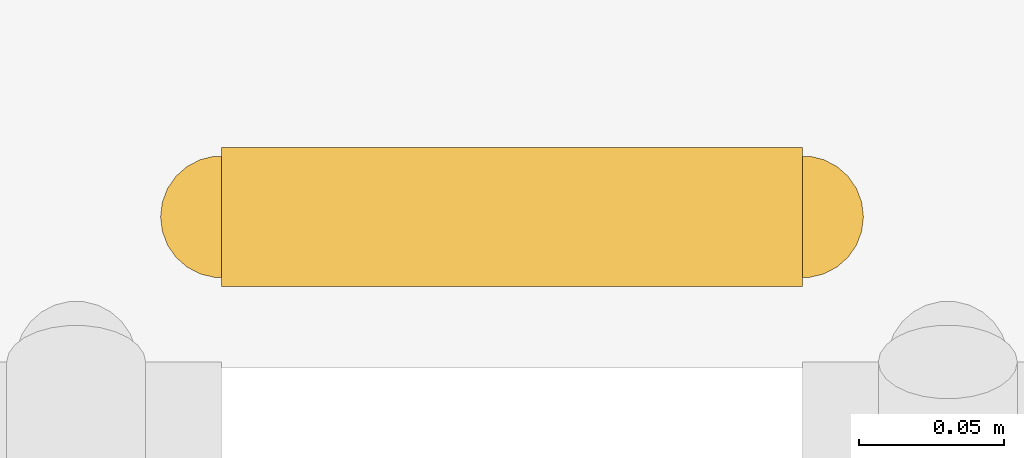
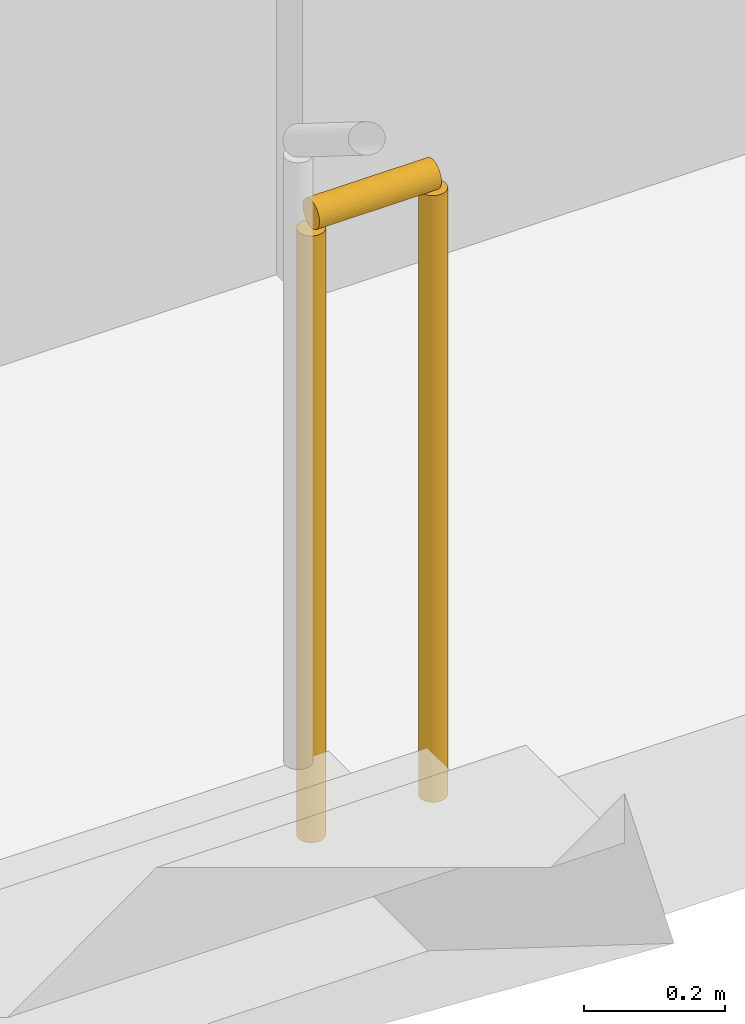
# One storey, part 22 of 22: 1 railing.
"""IFC4 building model written with IfcOpenShell, lengths in metres."""

from ifc_helpers import new_model, si_unit, direction, frame, origin, origin_2d, place, context, subcontext, project, spatial, circle, extrude, material, type_object, element, save


model = new_model("IFC4")

# Units and contexts
model_context = context("Model", 3, precision=1e-05, world=origin(), true_north=direction((0.0, 1.0)))
body_context = subcontext(model_context, "Body", "Model", "MODEL_VIEW")
ifc_project = project(units=[si_unit("LENGTHUNIT", "METRE"), si_unit("AREAUNIT", "SQUARE_METRE"), si_unit("VOLUMEUNIT", "CUBIC_METRE"), si_unit("PLANEANGLEUNIT", "RADIAN"), si_unit("MASSUNIT", "GRAM", prefix="KILO")], contexts=[model_context])

# Site, building, storey
site_placement = place(None, origin())
site = spatial("IfcSite", under=ifc_project, at=site_placement, CompositionType="ELEMENT")
building_placement = place(site_placement, origin())
building = spatial("IfcBuilding", under=site, at=building_placement, Name="Kiln Ring Residences", CompositionType="ELEMENT")
storey_placement = place(building_placement, frame((0.0, 0.0, 150.10009765625)))
storey = spatial("IfcBuildingStorey", under=building, at=storey_placement, Name="L38", CompositionType="ELEMENT", Elevation=150.10009765625)

# Railing
ifc_material = material(Name="Stainless steel", Category="steel")
railing_type = type_object("IfcRailingType", Name="CORE-STAIR-GUARD", PredefinedType="GUARDRAIL", material=ifc_material)
railing_placement = place(storey_placement, frame((22.0, 8.449951171875, 0.0)))
element("IfcRailing", 1, at=railing_placement, inside=storey, type_object=railing_type, Name="L38 E-STN stair guard 4", PredefinedType="GUARDRAIL", context=body_context, shape_type="SweptSolid", body=[
    extrude(circle(Radius=0.02392578125, at=origin_2d()), frame((0.0, 0.0, 1.076171875), z_axis=(1.0, 0.0, 0.0), x_axis=(0.0, 1.0, 0.0)), (0.0, 0.0, 1.0), 0.199951171875),
    extrude(circle(Radius=0.02099609375, at=origin_2d()), origin(), (0.0, 0.0, 1.0), 1.052001953125),
    extrude(circle(Radius=0.02099609375, at=origin_2d()), frame((0.199951171875, 0.0, 0.0)), (0.0, 0.0, 1.0), 1.052001953125),
])

save(model, "model.ifc")
